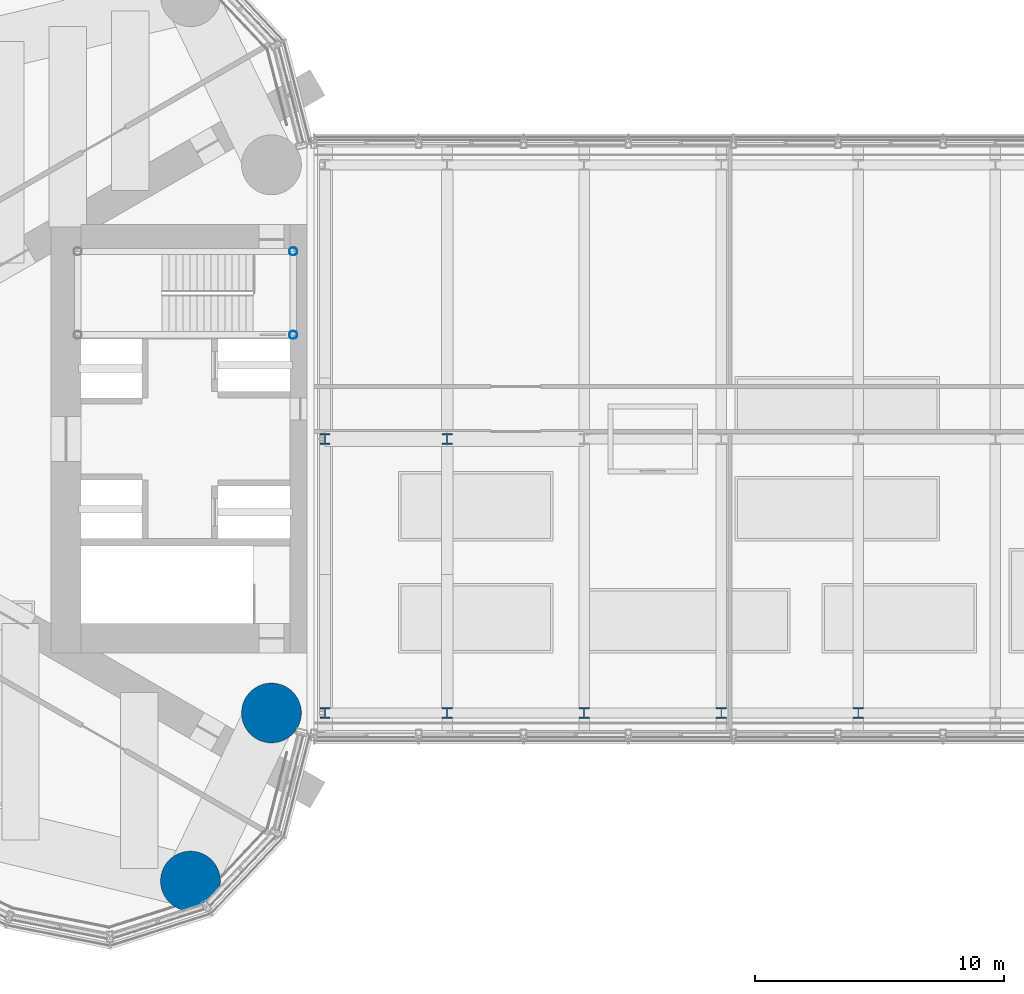
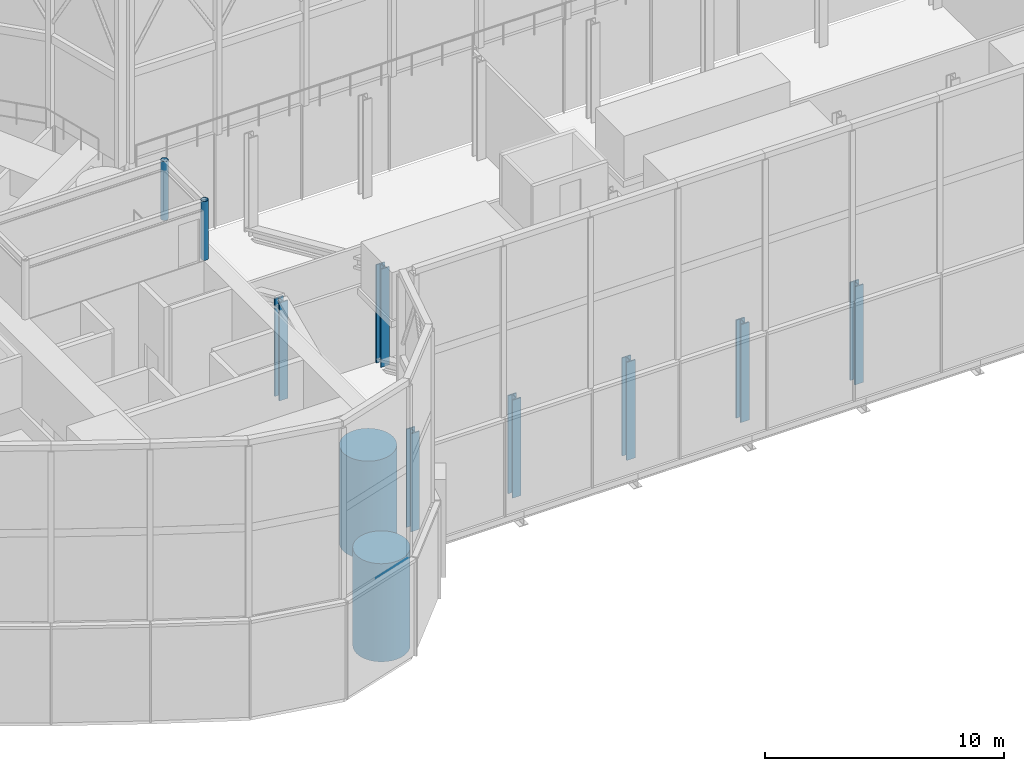
# One storey, part 2 of 33: 11 columns.
"""IFC4 building model written with IfcOpenShell, lengths in metres."""

from ifc_helpers import new_model, si_unit, direction, frame, origin, origin_2d, place, context, subcontext, project, spatial, circle, hollow_circle, i_section, extrude, material, material_profile, profile_set, type_object, element, save


model = new_model("IFC4")

# Units and contexts
model_context = context("Model", 3, precision=1e-05, world=origin(), true_north=direction((0.0, 1.0)))
body_context = subcontext(model_context, "Body", "Model", "MODEL_VIEW")
ifc_project = project(units=[si_unit("LENGTHUNIT", "METRE"), si_unit("AREAUNIT", "SQUARE_METRE"), si_unit("VOLUMEUNIT", "CUBIC_METRE"), si_unit("PLANEANGLEUNIT", "RADIAN"), si_unit("MASSUNIT", "GRAM", prefix="KILO")], contexts=[model_context])

# Site, building, storey
site_placement = place(None, origin())
site = spatial("IfcSite", under=ifc_project, at=site_placement, CompositionType="ELEMENT")
building_placement = place(site_placement, origin())
building = spatial("IfcBuilding", under=site, at=building_placement, Name="Lancet Gate Hotel", CompositionType="ELEMENT")
storey_placement = place(building_placement, frame((0.0, 0.0, 268.300048828125)))
storey = spatial("IfcBuildingStorey", under=building, at=storey_placement, Name="L70", CompositionType="ELEMENT", Elevation=268.300048828125)

# Columns
ifc_material_1 = material(Name="Steel S355", Category="steel")
ifc_material_profile_1 = material_profile(ifc_material_1, i_section(OverallWidth=0.412109375, OverallDepth=0.4365234375, WebThickness=0.035888671875, FlangeThickness=0.05810546875, FilletRadius=0.01513671875, at=origin_2d()), Name="UKC 356x406x467")
ifc_profile_set_1 = profile_set([ifc_material_profile_1], Name="Steel S355")
column_type_1 = type_object("IfcColumnType", Name="Block column UKC 356x406x467", PredefinedType="COLUMN", material=ifc_profile_set_1)
for number, where, z_axis, x_axis, name in (
    (1, (-26.89990234375, -11.0, 0.0), (0.0, 0.0, 1.0), (1.0, 0.0, 0.0), "Block column S0 L70"),
    (2, (-22.0, -11.0, 0.0), (0.0, 0.0, 1.0), (1.0, 0.0, 0.0), "Block column S1 L70"),
    (3, (-16.5, -11.0, 0.0), (0.0, 0.0, 1.0), (1.0, 0.0, 0.0), "Block column S2 L70"),
    (4, (-11.0, -11.0, 0.0), (0.0, 0.0, 1.0), (1.0, 0.0, 0.0), "Block column S3 L70"),
    (5, (-5.5, -11.0, 0.0), (0.0, 0.0, 1.0), (1.0, 0.0, 0.0), "Block column S4 L70"),
    (6, (-26.89990234375, 0.0, 0.0), (0.0, 0.0, 1.0), (1.0, 0.0, 0.0), "Block column M0 L70"),
    (7, (-22.0, 0.0, 0.0), (0.0, 0.0, 1.0), (1.0, 0.0, 0.0), "Block column M1 L70"),
):
    element("IfcColumn", number, at=place(storey_placement, frame(where, z_axis=z_axis, x_axis=x_axis)), inside=storey, type_object=column_type_1, Name=name, PredefinedType="COLUMN", context=body_context, shape_type="SweptSolid", body=[
        extrude(i_section(OverallWidth=0.412109375, OverallDepth=0.4365234375, WebThickness=0.035888671875, FlangeThickness=0.05810546875, FilletRadius=0.01513671875, at=origin_2d()), origin(), (0.0, 0.0, 1.0), 5.0),
    ])
ifc_material_2 = material(Name="Steel S355", Category="steel")
ifc_material_profile_2 = material_profile(ifc_material_2, hollow_circle(Radius=0.161865234375, WallThickness=0.012451171875, at=origin_2d()), Name="CHS 323.9x12.5")
ifc_profile_set_2 = profile_set([ifc_material_profile_2], Name="Steel S355")
column_type_2 = type_object("IfcColumnType", Name="Head-house column CHS 323.9x12.5", PredefinedType="COLUMN", material=ifc_profile_set_2)
for number, where, z_axis, x_axis, name in (
    (8, (-28.175048828125, 7.52490234375, 5.0), (0.0, 0.0, 1.0), (1.0, 0.0, 0.0), "T1 head-house column FO"),
    (9, (-28.175048828125, 4.175048828125, 5.0), (0.0, 0.0, 1.0), (1.0, 0.0, 0.0), "T1 head-house column FI"),
):
    element("IfcColumn", number, at=place(storey_placement, frame(where, z_axis=z_axis, x_axis=x_axis)), inside=storey, type_object=column_type_2, Name=name, PredefinedType="COLUMN", context=body_context, shape_type="SweptSolid", body=[
        extrude(hollow_circle(Radius=0.161865234375, WallThickness=0.012451171875, at=origin_2d()), origin(), (0.0, 0.0, 1.0), 3.0),
    ])
ifc_material_3 = material(Name="Concrete C50/60", Category="concrete")
ifc_material_profile_3 = material_profile(ifc_material_3, circle(Radius=1.199951171875, at=origin_2d()), Name="RC D2400")
ifc_profile_set_3 = profile_set([ifc_material_profile_3], Name="Concrete C50/60")
column_type_3 = type_object("IfcColumnType", Name="Perimeter column RC D2400", PredefinedType="COLUMN", material=ifc_profile_set_3)
for number, where, z_axis, x_axis, name in (
    (10, (-32.301025390625, -17.745361328125, 0.0), (0.0, 0.0, 1.0), (1.0, 0.0, 0.0), "T1 column CN L70"),
    (11, (-29.050048828125, -11.0, 0.0), (0.0, 0.0, 1.0), (1.0, 0.0, 0.0), "T1 column IN L70"),
):
    element("IfcColumn", number, at=place(storey_placement, frame(where, z_axis=z_axis, x_axis=x_axis)), inside=storey, type_object=column_type_3, Name=name, PredefinedType="COLUMN", context=body_context, shape_type="SweptSolid", body=[
        extrude(circle(Radius=1.199951171875, at=origin_2d()), origin(), (0.0, 0.0, 1.0), 5.0),
    ])

save(model, "model.ifc")
